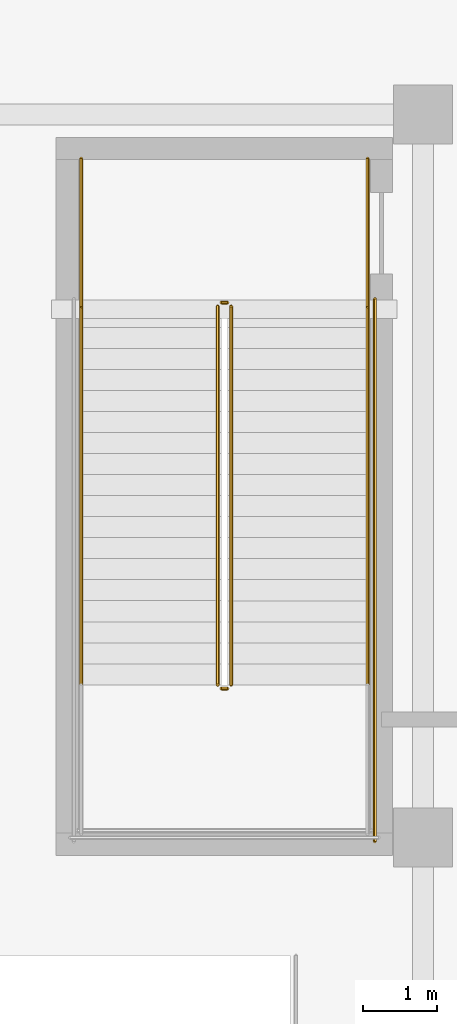
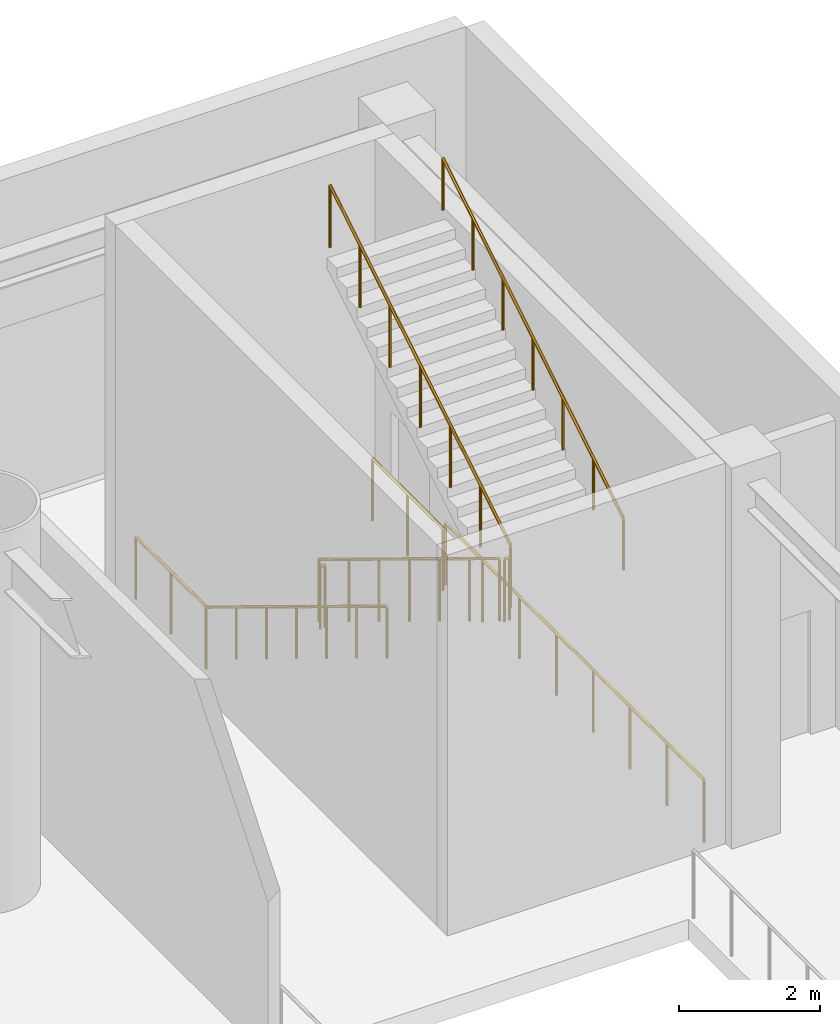
# One storey, part 14 of 15: 9 railings.
"""IFC4 building model written with IfcOpenShell, lengths in metres."""

import ifcopenshell
import ifcopenshell.guid

model = None  # the IFC model being written
_history = None  # IfcOwnerHistory: only IFC2X3 demands one
_inside = {}  # id of a spatial element -> (the spatial element, [elements in it])
_under = {}  # id of a project, library or spatial element -> (it, [spatial elements below it])
_declared = {}  # id of a project -> (the project, [libraries it declares])
_typed = {}  # id of a type object -> (the type object, [elements of that type])
_made_of = {}  # id of a material, layer set ... -> (it, [elements and type objects made of it])


def new_model(schema):
    """Start an empty IFC model of exactly this schema.

    Asked for "IFC4X3", IfcOpenShell would pick the latest addendum, in which some entities
    have other attributes; the version numbers below select the first issue.
    IFC2X3 requires an IfcOwnerHistory on every rooted entity: one is made here for all.
    """
    global model, _history
    if schema == "IFC4X3":
        model = ifcopenshell.file(schema_version=(4, 3, 0, 0))
    else:
        model = ifcopenshell.file(schema=schema)
    _inside.clear()
    _under.clear()
    _declared.clear()
    _typed.clear()
    _made_of.clear()
    _history = None
    if model.schema == "IFC2X3":
        org = make("IfcOrganization", Name="unknown")
        user = make(
            "IfcPersonAndOrganization",
            ThePerson=make("IfcPerson", FamilyName="unknown"),
            TheOrganization=org,
        )
        app = make(
            "IfcApplication",
            ApplicationDeveloper=org,
            Version="unknown",
            ApplicationFullName="unknown",
            ApplicationIdentifier="unknown",
        )
        _history = make(
            "IfcOwnerHistory",
            OwningUser=user,
            OwningApplication=app,
            ChangeAction="ADDED",
            CreationDate=0,
        )
    return model


def make(cls, **values):
    """One entity of the class cls with the attributes given. An attribute that is None is left unset."""
    return model.create_entity(
        cls, **{name: value for name, value in values.items() if value is not None}
    )


def rooted(cls, **values):
    """An entity with a GlobalId (a new one), such as an element, a storey or a relation."""
    return make(cls, GlobalId=ifcopenshell.guid.new(), OwnerHistory=_history, **values)


def si_unit(unit_type, name, prefix=None):
    """IfcSIUnit, for example si_unit("LENGTHUNIT", "METRE", prefix="MILLI")."""
    return make("IfcSIUnit", UnitType=unit_type, Prefix=prefix, Name=name)


def assignment(units):
    """IfcUnitAssignment: the units of a project."""
    return None if units is None else make("IfcUnitAssignment", Units=units)


def point(xyz):
    """IfcCartesianPoint."""
    return None if xyz is None else make("IfcCartesianPoint", Coordinates=xyz)


def direction(xyz):
    """IfcDirection."""
    return None if xyz is None else make("IfcDirection", DirectionRatios=xyz)


def frame(location, z_axis=None, x_axis=None):
    """IfcAxis2Placement3D, a coordinate frame: its origin and axes. An axis left out is left unset."""
    return make(
        "IfcAxis2Placement3D",
        Location=point(location),
        Axis=direction(z_axis),
        RefDirection=direction(x_axis),
    )


def frame_2d(location, x_axis=None):
    """IfcAxis2Placement2D, a coordinate frame in the plane: its origin and x axis."""
    return make(
        "IfcAxis2Placement2D", Location=point(location), RefDirection=direction(x_axis)
    )


def origin():
    """The frame at (0, 0, 0) with its axes left unset."""
    return frame((0.0, 0.0, 0.0))


def origin_2d():
    """The frame at (0, 0) in the plane with its x axis left unset."""
    return frame_2d((0.0, 0.0))


def place(relative_to, where):
    """IfcLocalPlacement: puts the frame where relative to a parent placement (None: the world)."""
    return make(
        "IfcLocalPlacement", PlacementRelTo=relative_to, RelativePlacement=where
    )


def context(
    kind, dimensions, precision=None, world=None, true_north=None, identifier=None
):
    """IfcGeometricRepresentationContext, for example the 3D "Model" context."""
    return make(
        "IfcGeometricRepresentationContext",
        ContextIdentifier=identifier,
        ContextType=kind,
        CoordinateSpaceDimension=dimensions,
        Precision=precision,
        WorldCoordinateSystem=world,
        TrueNorth=true_north,
    )


def subcontext(parent, identifier, kind, view, scale=None):
    """IfcGeometricRepresentationSubContext, for example "Body" below "Model"."""
    return make(
        "IfcGeometricRepresentationSubContext",
        ContextIdentifier=identifier,
        ContextType=kind,
        ParentContext=parent,
        TargetScale=scale,
        TargetView=view,
    )


def project(units=None, contexts=None):
    """IfcProject with its units and contexts."""
    return rooted(
        "IfcProject",
        Name="project",
        RepresentationContexts=contexts,
        UnitsInContext=assignment(units),
    )


def spatial(cls, under=None, at=None, **own):
    """A site, building, storey or space (cls), placed at a placement, below another one or the project."""
    s = rooted(cls, ObjectPlacement=at, **own)
    if under is not None:
        _under.setdefault(under.id(), (under, []))[1].append(s)
    return s


def profile(cls, at=None, kind="AREA", **sizes):
    """A parametric profile (cls). Its sizes go by their IFC names, for example OverallWidth=200.0."""
    return make(cls, ProfileType=kind, Position=at, **sizes)


def circle(**sizes):
    """IfcCircleProfileDef."""
    return profile("IfcCircleProfileDef", **sizes)


def extrude(swept, where, along, depth):
    """IfcExtrudedAreaSolid: the profile swept, set in the frame where, extruded along a direction by depth."""
    return make(
        "IfcExtrudedAreaSolid",
        SweptArea=swept,
        Position=where,
        ExtrudedDirection=direction(along),
        Depth=depth,
    )


def shape(context_of_items, identifier, shape_type, items):
    """IfcShapeRepresentation: the items that make up one representation, for example the "Body"."""
    return make(
        "IfcShapeRepresentation",
        ContextOfItems=context_of_items,
        RepresentationIdentifier=identifier,
        RepresentationType=shape_type,
        Items=items,
    )


def material(Name=None, Category=None):
    """IfcMaterial."""
    return make("IfcMaterial", Name=Name, Category=Category)


def made_of(thing, what):
    """Note that an element or type object is made of a material, layer set ...; save() writes the relation."""
    if what is not None:
        _made_of.setdefault(what.id(), (what, []))[1].append(thing)
    return thing


def type_object(cls, material=None, **own):
    """A type object (cls), such as IfcWallType, which elements share."""
    return made_of(rooted(cls, **own), material)


def element(
    cls,
    number,
    at=None,
    inside=None,
    cuts=None,
    type_object=None,
    material=None,
    context=None,
    identifier="Body",
    shape_type=None,
    held_by="IfcProductDefinitionShape",
    body=None,
    shapes=None,
    **own,
):
    """One element of the class cls, such as IfcWall. Its Tag is "e" and its number.

    at: its placement. inside: the storey or other place that contains it. cuts: it is an
    opening in that element (IfcRelVoidsElement). A single representation is given by context,
    identifier, shape_type and body (its items); several are given by shapes. held_by: the class
    of the entity that holds the representations. save() writes the other relations.
    """
    e = rooted(cls, Tag="e%d" % number, ObjectPlacement=at, **own)
    if body is not None:
        shapes = [shape(context, identifier, shape_type, body)]
    if shapes is not None:
        e.Representation = make(held_by, Representations=shapes)
    if inside is not None:
        _inside.setdefault(inside.id(), (inside, []))[1].append(e)
    if cuts is not None:
        rooted(
            "IfcRelVoidsElement", RelatingBuildingElement=cuts, RelatedOpeningElement=e
        )
    if type_object is not None:
        _typed.setdefault(type_object.id(), (type_object, []))[1].append(e)
    return made_of(e, material)


def aggregate(whole, parts):
    """IfcRelAggregates: a whole, such as a stair, and the parts it consists of."""
    return rooted("IfcRelAggregates", RelatingObject=whole, RelatedObjects=parts)


def save(model, path):
    """Write the relations noted so far, then the file.

    IfcRelAggregates (storeys below a building ...), IfcRelContainedInSpatialStructure (elements
    in a storey), IfcRelDefinesByType, IfcRelAssociatesMaterial and IfcRelDeclares: one each for
    every whole, place, type object, material and project.
    """
    for whole, parts in _under.values():
        aggregate(whole, parts)
    for where, things in _inside.values():
        rooted(
            "IfcRelContainedInSpatialStructure",
            RelatedElements=things,
            RelatingStructure=where,
        )
    for kind, things in _typed.values():
        rooted("IfcRelDefinesByType", RelatedObjects=things, RelatingType=kind)
    for what, things in _made_of.values():
        rooted("IfcRelAssociatesMaterial", RelatedObjects=things, RelatingMaterial=what)
    for by, libraries in _declared.values():
        rooted("IfcRelDeclares", RelatingContext=by, RelatedDefinitions=libraries)
    model.write(path)


model = new_model("IFC4")

# Units and contexts
model_context = context("Model", 3, precision=1e-05, world=origin(), true_north=direction((0.0, 1.0)))
body_context = subcontext(model_context, "Body", "Model", "MODEL_VIEW")
ifc_project = project(units=[si_unit("LENGTHUNIT", "METRE"), si_unit("AREAUNIT", "SQUARE_METRE"), si_unit("VOLUMEUNIT", "CUBIC_METRE"), si_unit("PLANEANGLEUNIT", "RADIAN"), si_unit("MASSUNIT", "GRAM", prefix="KILO")], contexts=[model_context])

# Site, building, storey
site_placement = place(None, origin())
site = spatial("IfcSite", under=ifc_project, at=site_placement, CompositionType="ELEMENT")
building_placement = place(site_placement, origin())
building = spatial("IfcBuilding", under=site, at=building_placement, Name="Bramvorn Convention Spire", CompositionType="ELEMENT")
storey_placement = place(building_placement, origin())
storey = spatial("IfcBuildingStorey", under=building, at=storey_placement, Name="L00", CompositionType="ELEMENT", Elevation=0.0)

# Railings
ifc_material_1 = material(Name="Painted Steel Balustrade & Guardrail", Category="steel")
railing_type_1 = type_object("IfcRailingType", Name="RL-STAIR-GUARD-1100", PredefinedType="GUARDRAIL", material=ifc_material_1)
railing_1_placement = place(storey_placement, frame((70.419921875, 46.800048828125, 0.173583984375)))
element("IfcRailing", 1, at=railing_1_placement, inside=storey, type_object=railing_type_1, Name="L00 ST5 stair guard 1", PredefinedType="GUARDRAIL", context=body_context, shape_type="SweptSolid", body=[
    extrude(circle(Radius=0.02392578125, at=origin_2d()), frame((0.0, 0.0, 1.076171875), z_axis=(0.0, -0.853919069452, 0.520405825127), x_axis=(1.0, 0.0, 0.0)), (0.0, 0.0, 1.0), 6.0078125),
    extrude(circle(Radius=0.02099609375, at=origin_2d()), origin(), (0.0, 0.0, 1.0), 1.052001953125),
    extrude(circle(Radius=0.02099609375, at=origin_2d()), frame((0.0, -0.85498046875, 0.52099609375)), (0.0, 0.0, 1.0), 1.052001953125),
    extrude(circle(Radius=0.02099609375, at=origin_2d()), frame((0.0, -1.7099609375, 1.042236328125)), (0.0, 0.0, 1.0), 1.052001953125),
    extrude(circle(Radius=0.02099609375, at=origin_2d()), frame((0.0, -2.56494140625, 1.563232421875)), (0.0, 0.0, 1.0), 1.052001953125),
    extrude(circle(Radius=0.02099609375, at=origin_2d()), frame((0.0, -3.420166015625, 2.084228515625)), (0.0, 0.0, 1.0), 1.052001953125),
    extrude(circle(Radius=0.02099609375, at=origin_2d()), frame((0.0, -4.275146484375, 2.60546875)), (0.0, 0.0, 1.0), 1.052001953125),
    extrude(circle(Radius=0.02099609375, at=origin_2d()), frame((0.0, -5.130126953125, 3.12646484375)), (0.0, 0.0, 1.0), 1.052001953125),
])
railing_2_placement = place(storey_placement, frame((70.469970703125, 41.6201171875, 3.300048828125)))
element("IfcRailing", 2, at=railing_2_placement, inside=storey, type_object=railing_type_1, Name="L00 ST5 stair guard 2", PredefinedType="GUARDRAIL", context=body_context, shape_type="SweptSolid", body=[
    extrude(circle(Radius=0.02392578125, at=origin_2d()), frame((0.0, 0.0, 1.076171875), z_axis=(1.0, 0.0, 0.0), x_axis=(0.0, 1.0, 0.0)), (0.0, 0.0, 1.0), 0.080078125),
    extrude(circle(Radius=0.02099609375, at=origin_2d()), origin(), (0.0, 0.0, 1.0), 1.052001953125),
    extrude(circle(Radius=0.02099609375, at=origin_2d()), frame((0.080078125, 0.0, 0.0)), (0.0, 0.0, 1.0), 1.052001953125),
])
railing_3_placement = place(storey_placement, frame((70.60009765625, 41.669921875, 3.4736328125)))
element("IfcRailing", 3, at=railing_3_placement, inside=storey, type_object=railing_type_1, Name="L00 ST5 stair guard 6", PredefinedType="GUARDRAIL", context=body_context, shape_type="SweptSolid", body=[
    extrude(circle(Radius=0.02392578125, at=origin_2d()), frame((0.0, 0.0, 1.076171875), z_axis=(0.0, 0.853919069452, 0.520405825127), x_axis=(-1.0, 0.0, 0.0)), (0.0, 0.0, 1.0), 6.0078125),
    extrude(circle(Radius=0.02099609375, at=origin_2d()), origin(), (0.0, 0.0, 1.0), 1.052001953125),
    extrude(circle(Radius=0.02099609375, at=origin_2d()), frame((0.0, 0.85498046875, 0.52099609375)), (0.0, 0.0, 1.0), 1.052001953125),
    extrude(circle(Radius=0.02099609375, at=origin_2d()), frame((0.0, 1.7099609375, 1.042236328125)), (0.0, 0.0, 1.0), 1.052001953125),
    extrude(circle(Radius=0.02099609375, at=origin_2d()), frame((0.0, 2.56494140625, 1.563232421875)), (0.0, 0.0, 1.0), 1.052001953125),
    extrude(circle(Radius=0.02099609375, at=origin_2d()), frame((0.0, 3.420166015625, 2.084228515625)), (0.0, 0.0, 1.0), 1.052001953125),
    extrude(circle(Radius=0.02099609375, at=origin_2d()), frame((0.0, 4.275146484375, 2.60546875)), (0.0, 0.0, 1.0), 1.052001953125),
    extrude(circle(Radius=0.02099609375, at=origin_2d()), frame((0.0, 5.130126953125, 3.12646484375)), (0.0, 0.0, 1.0), 1.052001953125),
])
railing_4_placement = place(storey_placement, frame((70.469970703125, 46.85009765625, 0.0)))
element("IfcRailing", 4, at=railing_4_placement, inside=storey, type_object=railing_type_1, Name="L00 ST5 stair guard 7", PredefinedType="GUARDRAIL", context=body_context, shape_type="SweptSolid", body=[
    extrude(circle(Radius=0.02392578125, at=origin_2d()), frame((0.0, 0.0, 1.076171875), z_axis=(1.0, 0.0, 0.0), x_axis=(0.0, 1.0, 0.0)), (0.0, 0.0, 1.0), 0.080078125),
    extrude(circle(Radius=0.02099609375, at=origin_2d()), origin(), (0.0, 0.0, 1.0), 1.052001953125),
    extrude(circle(Radius=0.02099609375, at=origin_2d()), frame((0.080078125, 0.0, 0.0)), (0.0, 0.0, 1.0), 1.052001953125),
])
for number, where, name in (
    (5, (68.570068359375, 48.800048828125, 0.0), "L00 ST5 stair guard 8"),
    (6, (72.449951171875, 48.800048828125, 0.0), "L00 ST5 stair guard 9"),
):
    element("IfcRailing", number, at=place(storey_placement, frame(where)), inside=storey, type_object=railing_type_1, Name=name, PredefinedType="GUARDRAIL", context=body_context, shape_type="SweptSolid", body=[
        extrude(circle(Radius=0.02392578125, at=origin_2d()), frame((0.0, 0.0, 1.076171875), z_axis=(0.0, -1.0, 0.0), x_axis=(1.0, 0.0, 0.0)), (0.0, 0.0, 1.0), 2.0),
        extrude(circle(Radius=0.02099609375, at=origin_2d()), origin(), (0.0, 0.0, 1.0), 1.052001953125),
        extrude(circle(Radius=0.02099609375, at=origin_2d()), frame((0.0, -1.0, 0.0)), (0.0, 0.0, 1.0), 1.052001953125),
        extrude(circle(Radius=0.02099609375, at=origin_2d()), frame((0.0, -2.0, 0.0)), (0.0, 0.0, 1.0), 1.052001953125),
    ])
railing_5_placement = place(storey_placement, frame((72.550048828125, 46.89990234375, 0.0)))
element("IfcRailing", 7, at=railing_5_placement, inside=storey, type_object=railing_type_1, Name="L00 ST5 stair guard 11", PredefinedType="GUARDRAIL", context=body_context, shape_type="SweptSolid", body=[
    extrude(circle(Radius=0.02392578125, at=origin_2d()), frame((0.0, 0.0, 1.076171875), z_axis=(0.0, -1.0, 0.0), x_axis=(1.0, 0.0, 0.0)), (0.0, 0.0, 1.0), 7.349853515625),
    extrude(circle(Radius=0.02099609375, at=origin_2d()), origin(), (0.0, 0.0, 1.0), 1.052001953125),
    extrude(circle(Radius=0.02099609375, at=origin_2d()), frame((0.0, -1.050048828125, 0.0)), (0.0, 0.0, 1.0), 1.052001953125),
    extrude(circle(Radius=0.02099609375, at=origin_2d()), frame((0.0, -2.099853515625, 0.0)), (0.0, 0.0, 1.0), 1.052001953125),
    extrude(circle(Radius=0.02099609375, at=origin_2d()), frame((0.0, -3.14990234375, 0.0)), (0.0, 0.0, 1.0), 1.052001953125),
    extrude(circle(Radius=0.02099609375, at=origin_2d()), frame((0.0, -4.199951171875, 0.0)), (0.0, 0.0, 1.0), 1.052001953125),
    extrude(circle(Radius=0.02099609375, at=origin_2d()), frame((0.0, -5.25, 0.0)), (0.0, 0.0, 1.0), 1.052001953125),
    extrude(circle(Radius=0.02099609375, at=origin_2d()), frame((0.0, -6.2998046875, 0.0)), (0.0, 0.0, 1.0), 1.052001953125),
    extrude(circle(Radius=0.02099609375, at=origin_2d()), frame((0.0, -7.349853515625, 0.0)), (0.0, 0.0, 1.0), 1.052001953125),
])
ifc_material_2 = material(Name="Brushed Bronze Tubular Handrail", Category="aluminium")
railing_type_2 = type_object("IfcRailingType", Name="RL-STAIR-HR-920", PredefinedType="HANDRAIL", material=ifc_material_2)
railing_6_placement = place(storey_placement, frame((68.570068359375, 46.800048828125, 0.173583984375)))
element("IfcRailing", 8, at=railing_6_placement, inside=storey, type_object=railing_type_2, Name="L00 ST5 stair handrail 1", PredefinedType="HANDRAIL", context=body_context, shape_type="SweptSolid", body=[
    extrude(circle(Radius=0.02392578125, at=origin_2d()), frame((0.0, 0.0, 0.89599609375), z_axis=(0.0, -0.853919069452, 0.520405825127), x_axis=(1.0, 0.0, 0.0)), (0.0, 0.0, 1.0), 6.0078125),
    extrude(circle(Radius=0.02099609375, at=origin_2d()), origin(), (0.0, 0.0, 1.0), 0.871826171875),
    extrude(circle(Radius=0.02099609375, at=origin_2d()), frame((0.0, -0.85498046875, 0.52099609375)), (0.0, 0.0, 1.0), 0.871826171875),
    extrude(circle(Radius=0.02099609375, at=origin_2d()), frame((0.0, -1.7099609375, 1.042236328125)), (0.0, 0.0, 1.0), 0.871826171875),
    extrude(circle(Radius=0.02099609375, at=origin_2d()), frame((0.0, -2.56494140625, 1.563232421875)), (0.0, 0.0, 1.0), 0.871826171875),
    extrude(circle(Radius=0.02099609375, at=origin_2d()), frame((0.0, -3.420166015625, 2.084228515625)), (0.0, 0.0, 1.0), 0.871826171875),
    extrude(circle(Radius=0.02099609375, at=origin_2d()), frame((0.0, -4.275146484375, 2.60546875)), (0.0, 0.0, 1.0), 0.871826171875),
    extrude(circle(Radius=0.02099609375, at=origin_2d()), frame((0.0, -5.130126953125, 3.12646484375)), (0.0, 0.0, 1.0), 0.871826171875),
])
railing_7_placement = place(storey_placement, frame((72.449951171875, 41.669921875, 3.4736328125)))
element("IfcRailing", 9, at=railing_7_placement, inside=storey, type_object=railing_type_2, Name="L00 ST5 stair handrail 2", PredefinedType="HANDRAIL", context=body_context, shape_type="SweptSolid", body=[
    extrude(circle(Radius=0.02392578125, at=origin_2d()), frame((0.0, 0.0, 0.89599609375), z_axis=(0.0, 0.853919069452, 0.520405825127), x_axis=(-1.0, 0.0, 0.0)), (0.0, 0.0, 1.0), 6.0078125),
    extrude(circle(Radius=0.02099609375, at=origin_2d()), origin(), (0.0, 0.0, 1.0), 0.871826171875),
    extrude(circle(Radius=0.02099609375, at=origin_2d()), frame((0.0, 0.85498046875, 0.52099609375)), (0.0, 0.0, 1.0), 0.871826171875),
    extrude(circle(Radius=0.02099609375, at=origin_2d()), frame((0.0, 1.7099609375, 1.042236328125)), (0.0, 0.0, 1.0), 0.871826171875),
    extrude(circle(Radius=0.02099609375, at=origin_2d()), frame((0.0, 2.56494140625, 1.563232421875)), (0.0, 0.0, 1.0), 0.871826171875),
    extrude(circle(Radius=0.02099609375, at=origin_2d()), frame((0.0, 3.420166015625, 2.084228515625)), (0.0, 0.0, 1.0), 0.871826171875),
    extrude(circle(Radius=0.02099609375, at=origin_2d()), frame((0.0, 4.275146484375, 2.60546875)), (0.0, 0.0, 1.0), 0.871826171875),
    extrude(circle(Radius=0.02099609375, at=origin_2d()), frame((0.0, 5.130126953125, 3.12646484375)), (0.0, 0.0, 1.0), 0.871826171875),
])

save(model, "model.ifc")
